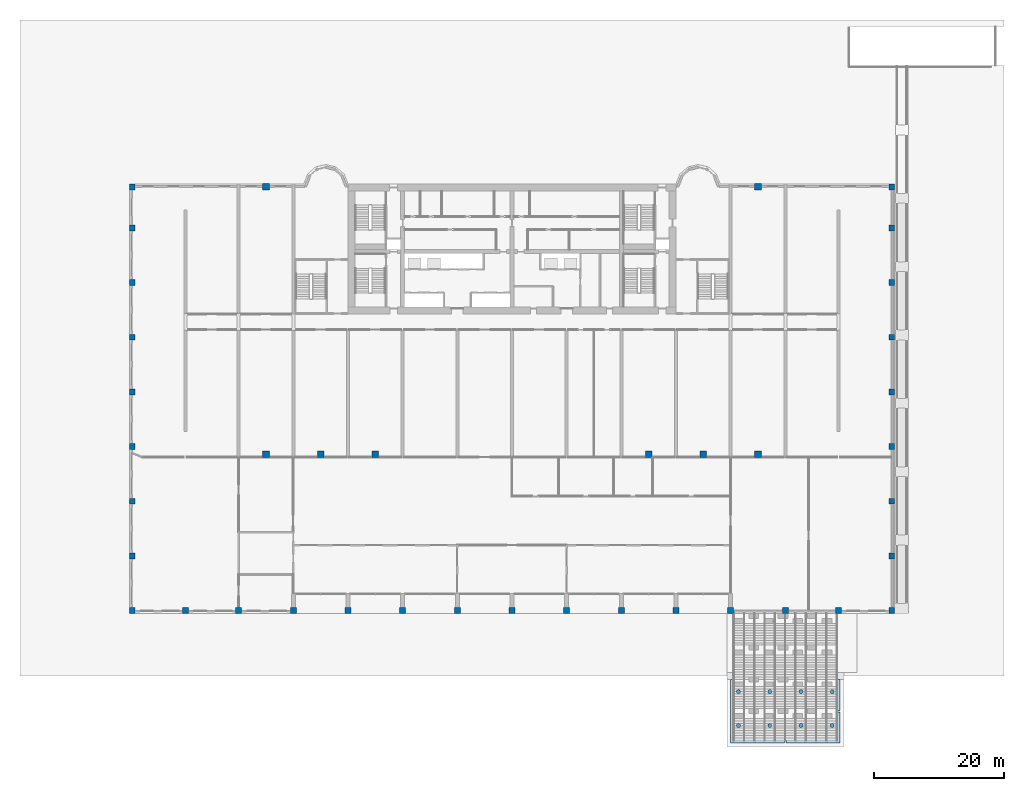
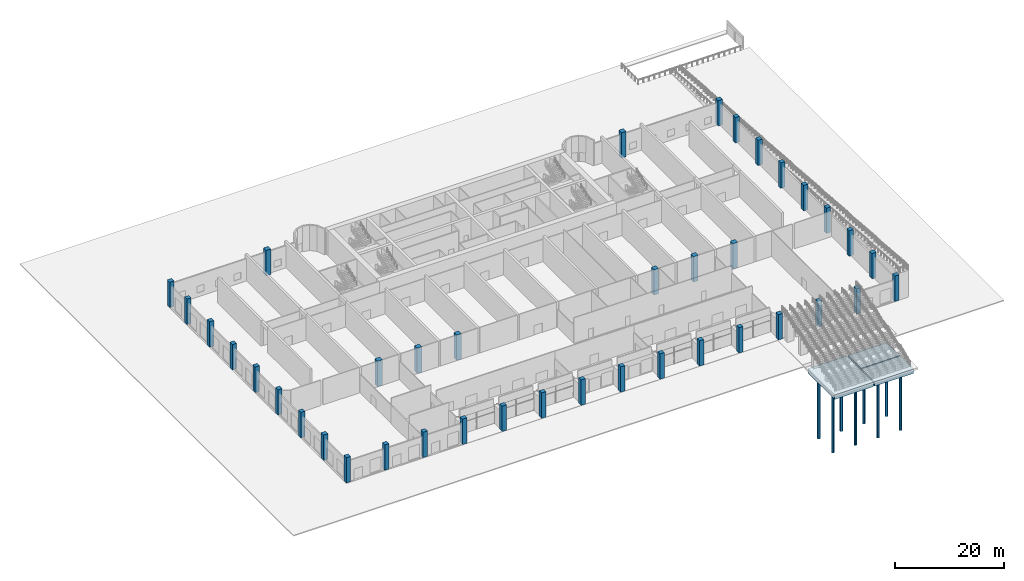
# One storey, part 1 of 20: 39 columns, 8 piles, 3 footings.
"""IFC4 building model written with IfcOpenShell, lengths in metres."""

from ifc_helpers import new_model, si_unit, direction, frame, origin, origin_2d, place, context, subcontext, project, spatial, polyline, rectangle, circle, outline, extrude, source, transform, mapped, material, layer, layer_set, material_profile, profile_set, type_object, element, save


model = new_model("IFC4")

# Units and contexts
model_context = context("Model", 3, precision=1e-05, world=origin(), true_north=direction((0.0, 1.0)))
body_context = subcontext(model_context, "Body", "Model", "MODEL_VIEW")
ifc_project = project(units=[si_unit("LENGTHUNIT", "METRE"), si_unit("AREAUNIT", "SQUARE_METRE"), si_unit("VOLUMEUNIT", "CUBIC_METRE"), si_unit("PLANEANGLEUNIT", "RADIAN"), si_unit("MASSUNIT", "GRAM", prefix="KILO")], contexts=[model_context])

# Site, building, storey
site_placement = place(None, origin())
site = spatial("IfcSite", under=ifc_project, at=site_placement, CompositionType="ELEMENT")
building_placement = place(site_placement, origin())
building = spatial("IfcBuilding", under=site, at=building_placement, Name="Vanashikhar Sky Hotel", CompositionType="ELEMENT")
storey_placement = place(building_placement, origin())
storey = spatial("IfcBuildingStorey", under=building, at=storey_placement, Name="L00", CompositionType="ELEMENT", Elevation=0.0)

# Footings
ifc_material_1 = material(Name="Concrete M40", Category="concrete")
ifc_layer = layer(ifc_material_1, 1.0)
ifc_layer_set = layer_set([ifc_layer], Name="Stair base pile cap 1000 mm")
footing_type = type_object("IfcFootingType", Name="Stair base pile cap 1000 mm", PredefinedType="PILE_CAP", material=ifc_layer_set)
shared_shape_1 = source(origin(), body_context, "Body", "SweptSolid", [
    extrude(outline(polyline([(84.0, -43.89990234375), (92.300048828125, -43.89990234375), (92.300048828125, -34.10009765625), (84.0, -34.10009765625), (84.0, -43.89990234375)])), origin(), (0.0, 0.0, 1.0), 1.0),
])
footing_1_placement = place(storey_placement, frame((0.0, 0.0, -1.449951171875)))
element("IfcFooting", 1, at=footing_1_placement, inside=storey, type_object=footing_type, Name="Garden stair base pile cap west", PredefinedType="PILE_CAP", context=body_context, shape_type="MappedRepresentation", body=[
    mapped(shared_shape_1, transform((0.0, 0.0, 0.0), scale=1.0)),
])
shared_shape_2 = source(origin(), body_context, "Body", "SweptSolid", [
    extrude(outline(polyline([(92.5, -43.89990234375), (100.800048828125, -43.89990234375), (100.800048828125, -39.10009765625), (92.5, -39.10009765625), (92.5, -43.89990234375)])), origin(), (0.0, 0.0, 1.0), 1.0),
])
footing_2_placement = place(storey_placement, frame((0.0, 0.0, -1.449951171875)))
element("IfcFooting", 2, at=footing_2_placement, inside=storey, type_object=footing_type, Name="Garden stair base pile cap east south", PredefinedType="PILE_CAP", context=body_context, shape_type="MappedRepresentation", body=[
    mapped(shared_shape_2, transform((0.0, 0.0, 0.0), scale=1.0)),
])
shared_shape_3 = source(origin(), body_context, "Body", "SweptSolid", [
    extrude(outline(polyline([(92.5, -38.89990234375), (100.800048828125, -38.89990234375), (100.800048828125, -34.10009765625), (92.5, -34.10009765625), (92.5, -38.89990234375)])), origin(), (0.0, 0.0, 1.0), 1.0),
])
footing_3_placement = place(storey_placement, frame((0.0, 0.0, -1.449951171875)))
element("IfcFooting", 3, at=footing_3_placement, inside=storey, type_object=footing_type, Name="Garden stair base pile cap east north", PredefinedType="PILE_CAP", context=body_context, shape_type="MappedRepresentation", body=[
    mapped(shared_shape_3, transform((0.0, 0.0, 0.0), scale=1.0)),
])

# Piles
pile_type = type_object("IfcPileType", Name="Bored pile 600 mm", PredefinedType="BORED", material=ifc_material_1)
shared_shape_4 = source(origin(), body_context, "Body", "SweptSolid", [
    extrude(circle(Radius=0.300048828125, at=origin_2d()), origin(), (0.0, 0.0, 1.0), 14.0),
])
for number, where, z_axis, x_axis, name in (
    (4, (85.199951171875, -41.199951171875, -1.35009765625), (0.0, 0.0, -1.0), (1.0, 0.0, 0.0), "PL-L00-S01"),
    (5, (90.0, -41.199951171875, -1.35009765625), (0.0, 0.0, -1.0), (1.0, 0.0, 0.0), "PL-L00-S02"),
    (6, (94.800048828125, -41.199951171875, -1.35009765625), (0.0, 0.0, -1.0), (1.0, 0.0, 0.0), "PL-L00-S03"),
    (7, (99.60009765625, -41.199951171875, -1.35009765625), (0.0, 0.0, -1.0), (1.0, 0.0, 0.0), "PL-L00-S04"),
    (8, (85.199951171875, -36.0, -1.35009765625), (0.0, 0.0, -1.0), (1.0, 0.0, 0.0), "PL-L00-S05"),
    (9, (90.0, -36.0, -1.35009765625), (0.0, 0.0, -1.0), (1.0, 0.0, 0.0), "PL-L00-S06"),
    (10, (94.800048828125, -36.0, -1.35009765625), (0.0, 0.0, -1.0), (1.0, 0.0, 0.0), "PL-L00-S07"),
    (11, (99.60009765625, -36.0, -1.35009765625), (0.0, 0.0, -1.0), (1.0, 0.0, 0.0), "PL-L00-S08"),
):
    element("IfcPile", number, at=place(storey_placement, frame(where, z_axis=z_axis, x_axis=x_axis)), inside=storey, type_object=pile_type, Name=name, PredefinedType="BORED", context=body_context, shape_type="MappedRepresentation", body=[
        mapped(shared_shape_4, transform((0.0, 0.0, 0.0), scale=1.0)),
    ])

# Columns
ifc_material_2 = material(Name="Concrete M70", Category="concrete")
ifc_material_profile_1 = material_profile(ifc_material_2, rectangle(XDim=1.0, YDim=1.0, at=origin_2d()))
ifc_profile_set_1 = profile_set([ifc_material_profile_1], Name="RC 1000x1000 column Concrete M70")
column_type_1 = type_object("IfcColumnType", Name="RC 1000x1000 column Concrete M70", PredefinedType="COLUMN", material=ifc_profile_set_1)
shared_shape_5 = source(origin(), body_context, "Body", "SweptSolid", [
    extrude(rectangle(XDim=1.0, YDim=1.0, at=origin_2d()), origin(), (0.0, 0.0, 1.0), 5.719970703125),
])
for number, where, z_axis, x_axis, name in (
    (12, (12.60009765625, 0.449951171875, 0.0), (0.0, 0.0, 1.0), (1.0, 0.0, 0.0), "CL-L00-CF02"),
    (13, (21.0, 0.449951171875, 0.0), (0.0, 0.0, 1.0), (1.0, 0.0, 0.0), "CL-L00-CF03"),
    (14, (29.39990234375, 0.449951171875, 0.0), (0.0, 0.0, 1.0), (1.0, 0.0, 0.0), "CL-L00-CF04"),
    (15, (71.39990234375, 0.449951171875, 0.0), (0.0, 0.0, 1.0), (1.0, 0.0, 0.0), "CL-L00-CF09"),
    (16, (79.800048828125, 0.449951171875, 0.0), (0.0, 0.0, 1.0), (1.0, 0.0, 0.0), "CL-L00-CF10"),
    (17, (88.199951171875, 0.449951171875, 0.0), (0.0, 0.0, 1.0), (1.0, 0.0, 0.0), "CL-L00-CF11"),
    (18, (12.60009765625, 41.550048828125, 0.0), (0.0, 0.0, 1.0), (1.0, 0.0, 0.0), "CL-L00-CR02"),
    (19, (88.199951171875, 41.550048828125, 0.0), (0.0, 0.0, 1.0), (1.0, 0.0, 0.0), "CL-L00-CR11"),
):
    element("IfcColumn", number, at=place(storey_placement, frame(where, z_axis=z_axis, x_axis=x_axis)), inside=storey, type_object=column_type_1, Name=name, PredefinedType="COLUMN", context=body_context, shape_type="MappedRepresentation", body=[
        mapped(shared_shape_5, transform((0.0, 0.0, 0.0), scale=1.0)),
    ])
ifc_material_profile_2 = material_profile(ifc_material_2, rectangle(XDim=0.89990234375, YDim=0.89990234375, at=origin_2d()))
ifc_profile_set_2 = profile_set([ifc_material_profile_2], Name="RC 900x900 column Concrete M70")
column_type_2 = type_object("IfcColumnType", Name="RC 900x900 column Concrete M70", PredefinedType="COLUMN", material=ifc_profile_set_2)
shared_shape_6 = source(origin(), body_context, "Body", "SweptSolid", [
    extrude(rectangle(XDim=0.89990234375, YDim=0.89990234375, at=origin_2d()), origin(), (0.0, 0.0, 1.0), 5.719970703125),
])
for number, where, z_axis, x_axis, name in (
    (20, (-7.949951171875, -23.550048828125, 0.0), (0.0, 0.0, 1.0), (1.0, 0.0, 0.0), "CL-L00-CAW01"),
    (21, (108.75, -23.550048828125, 0.0), (0.0, 0.0, 1.0), (1.0, 0.0, 0.0), "CL-L00-CAE01"),
    (22, (-7.949951171875, -15.14990234375, 0.0), (0.0, 0.0, 1.0), (1.0, 0.0, 0.0), "CL-L00-CAW02"),
    (23, (108.75, -15.14990234375, 0.0), (0.0, 0.0, 1.0), (1.0, 0.0, 0.0), "CL-L00-CAE02"),
    (24, (-7.949951171875, -6.75, 0.0), (0.0, 0.0, 1.0), (1.0, 0.0, 0.0), "CL-L00-CAW03"),
    (25, (108.75, -6.75, 0.0), (0.0, 0.0, 1.0), (1.0, 0.0, 0.0), "CL-L00-CAE03"),
    (26, (-7.949951171875, 1.64990234375, 0.0), (0.0, 0.0, 1.0), (1.0, 0.0, 0.0), "CL-L00-CAW04"),
    (27, (108.75, 1.64990234375, 0.0), (0.0, 0.0, 1.0), (1.0, 0.0, 0.0), "CL-L00-CAE04"),
    (28, (-7.949951171875, 10.050048828125, 0.0), (0.0, 0.0, 1.0), (1.0, 0.0, 0.0), "CL-L00-CAW05"),
    (29, (108.75, 10.050048828125, 0.0), (0.0, 0.0, 1.0), (1.0, 0.0, 0.0), "CL-L00-CAE05"),
    (30, (-7.949951171875, 18.449951171875, 0.0), (0.0, 0.0, 1.0), (1.0, 0.0, 0.0), "CL-L00-CAW06"),
    (31, (108.75, 18.449951171875, 0.0), (0.0, 0.0, 1.0), (1.0, 0.0, 0.0), "CL-L00-CAE06"),
    (32, (-7.949951171875, 26.85009765625, 0.0), (0.0, 0.0, 1.0), (1.0, 0.0, 0.0), "CL-L00-CAW07"),
    (33, (108.75, 26.85009765625, 0.0), (0.0, 0.0, 1.0), (1.0, 0.0, 0.0), "CL-L00-CAE07"),
    (34, (-7.949951171875, 35.25, 0.0), (0.0, 0.0, 1.0), (1.0, 0.0, 0.0), "CL-L00-CAW08"),
    (35, (108.75, 35.25, 0.0), (0.0, 0.0, 1.0), (1.0, 0.0, 0.0), "CL-L00-CAE08"),
    (36, (-7.949951171875, 41.550048828125, 0.0), (0.0, 0.0, 1.0), (1.0, 0.0, 0.0), "CL-L00-CAW09"),
    (37, (108.75, 41.550048828125, 0.0), (0.0, 0.0, 1.0), (1.0, 0.0, 0.0), "CL-L00-CAE09"),
    (38, (0.22509765625, -23.550048828125, 0.0), (0.0, 0.0, 1.0), (1.0, 0.0, 0.0), "CL-L00-CAF01"),
    (39, (8.39990234375, -23.550048828125, 0.0), (0.0, 0.0, 1.0), (1.0, 0.0, 0.0), "CL-L00-CAF02"),
    (40, (16.800048828125, -23.550048828125, 0.0), (0.0, 0.0, 1.0), (1.0, 0.0, 0.0), "CL-L00-CAF03"),
    (41, (25.199951171875, -23.550048828125, 0.0), (0.0, 0.0, 1.0), (1.0, 0.0, 0.0), "CL-L00-CAF04"),
    (42, (33.60009765625, -23.550048828125, 0.0), (0.0, 0.0, 1.0), (1.0, 0.0, 0.0), "CL-L00-CAF05"),
    (43, (42.0, -23.550048828125, 0.0), (0.0, 0.0, 1.0), (1.0, 0.0, 0.0), "CL-L00-CAF06"),
    (44, (50.39990234375, -23.550048828125, 0.0), (0.0, 0.0, 1.0), (1.0, 0.0, 0.0), "CL-L00-CAF07"),
    (45, (58.800048828125, -23.550048828125, 0.0), (0.0, 0.0, 1.0), (1.0, 0.0, 0.0), "CL-L00-CAF08"),
    (46, (67.199951171875, -23.550048828125, 0.0), (0.0, 0.0, 1.0), (1.0, 0.0, 0.0), "CL-L00-CAF09"),
    (47, (75.60009765625, -23.550048828125, 0.0), (0.0, 0.0, 1.0), (1.0, 0.0, 0.0), "CL-L00-CAF10"),
    (48, (84.0, -23.550048828125, 0.0), (0.0, 0.0, 1.0), (1.0, 0.0, 0.0), "CL-L00-CAF11"),
    (49, (92.39990234375, -23.550048828125, 0.0), (0.0, 0.0, 1.0), (1.0, 0.0, 0.0), "CL-L00-CAF12"),
    (50, (100.574951171875, -23.550048828125, 0.0), (0.0, 0.0, 1.0), (1.0, 0.0, 0.0), "CL-L00-CAF13"),
):
    element("IfcColumn", number, at=place(storey_placement, frame(where, z_axis=z_axis, x_axis=x_axis)), inside=storey, type_object=column_type_2, Name=name, PredefinedType="COLUMN", context=body_context, shape_type="MappedRepresentation", body=[
        mapped(shared_shape_6, transform((0.0, 0.0, 0.0), scale=1.0)),
    ])

save(model, "model.ifc")
